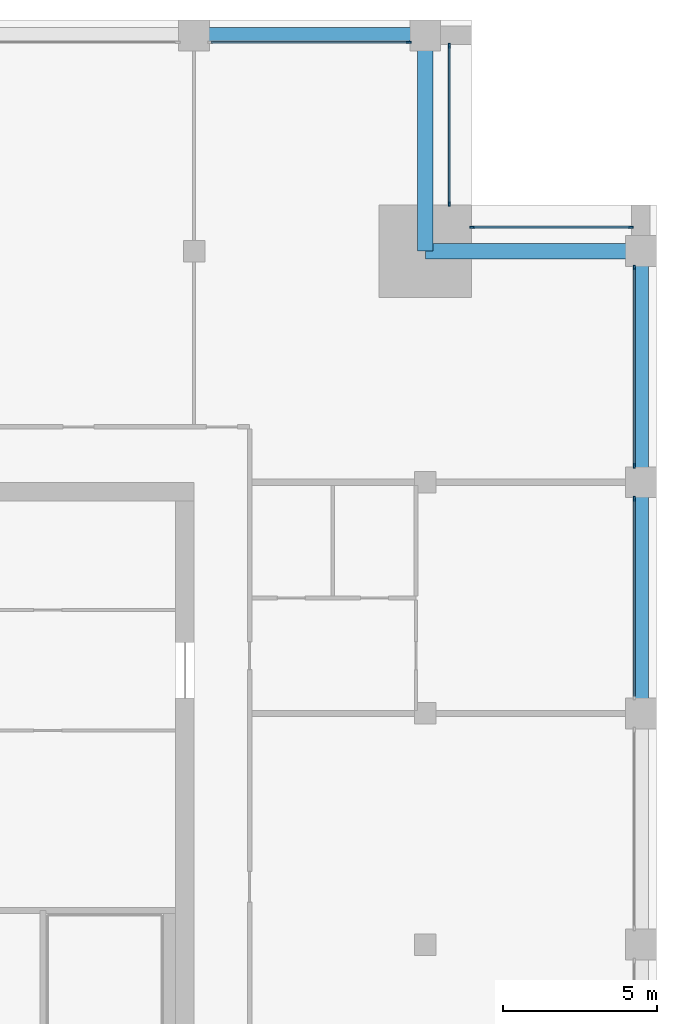
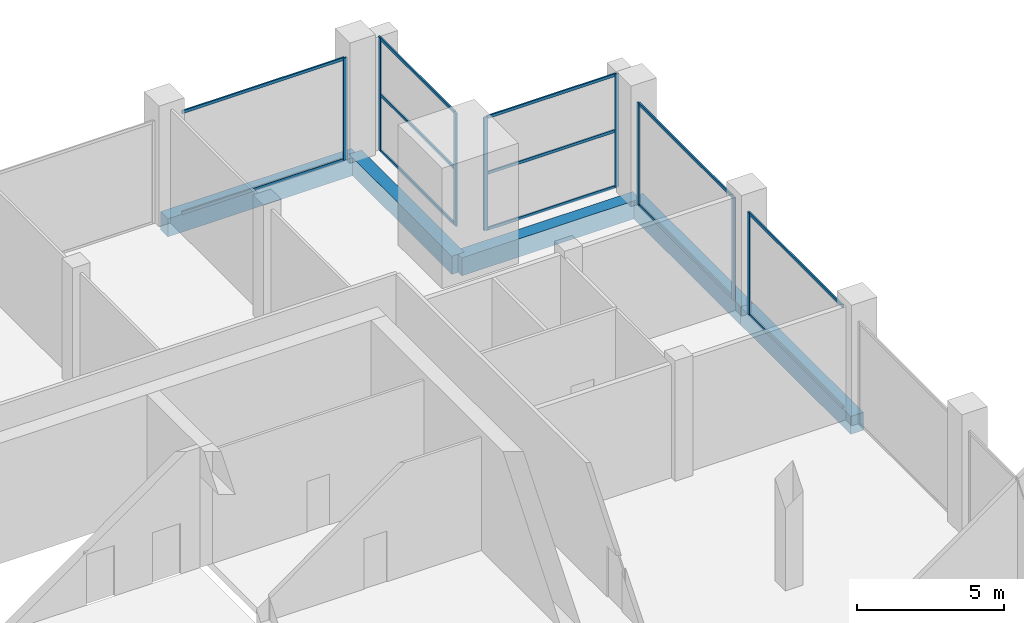
# One storey, part 6 of 15: 20 members, 5 beams, 5 elements without a shape of their own.
"""IFC4 building model written with IfcOpenShell, lengths in metres."""

from ifc_helpers import new_model, si_unit, direction, frame, origin, origin_2d, place, context, subcontext, project, spatial, rectangle, extrude, material, layer, layer_set, material_profile, profile_set, type_object, element, aggregate, save


model = new_model("IFC4")

# Units and contexts
model_context = context("Model", 3, precision=1e-05, world=origin(), true_north=direction((0.0, 1.0)))
body_context = subcontext(model_context, "Body", "Model", "MODEL_VIEW")
ifc_project = project(units=[si_unit("LENGTHUNIT", "METRE"), si_unit("AREAUNIT", "SQUARE_METRE"), si_unit("VOLUMEUNIT", "CUBIC_METRE"), si_unit("PLANEANGLEUNIT", "RADIAN"), si_unit("MASSUNIT", "GRAM", prefix="KILO")], contexts=[model_context])

# Site, building, storey
site_placement = place(None, origin())
site = spatial("IfcSite", under=ifc_project, at=site_placement, CompositionType="ELEMENT")
building_placement = place(site_placement, origin())
building = spatial("IfcBuilding", under=site, at=building_placement, Name="Tamorin Gate", CompositionType="ELEMENT")
storey_placement = place(building_placement, frame((0.0, 0.0, 297.699951171875)))
storey = spatial("IfcBuildingStorey", under=building, at=storey_placement, Name="L74", CompositionType="ELEMENT", Elevation=297.699951171875)

# Curtain wall, member
ifc_material_1 = material(Name="Aluminium mullions and transoms with clear glass", Category="aluminium")
ifc_layer = layer(ifc_material_1, 0.159912109375)
ifc_layer_set = layer_set([ifc_layer], Name="Curtain wall system CW2")
curtain_wall_type = type_object("IfcCurtainWallType", Name="Curtain wall system CW2", PredefinedType="NOTDEFINED", material=ifc_layer_set)
curtain_wall_1_placement = place(storey_placement, origin())
curtain_wall_1 = element("IfcCurtainWall", 1, at=curtain_wall_1_placement, inside=storey, type_object=curtain_wall_type, Name="Curtain wall", PredefinedType="NOTDEFINED")
ifc_material_2 = material(Name="Aluminium", Category="aluminium")
ifc_material_profile_1 = material_profile(ifc_material_2, rectangle(XDim=0.06005859375, YDim=0.159912109375, at=origin_2d()), Name="RECT 60x160")
ifc_profile_set_1 = profile_set([ifc_material_profile_1], Name="Aluminium")
member_type_1 = type_object("IfcMemberType", Name="Aluminium mullion 60x160", PredefinedType="MULLION", material=ifc_profile_set_1)
member_1_placement = place(storey_placement, frame((74.280029296875, 81.969970703125, 0.0), z_axis=(0.0, 0.0, 1.0), x_axis=(-1.0, 0.0, 0.0)))
member_1 = element("IfcMember", 2, at=member_1_placement, type_object=member_type_1, Name="CW2 mullion 2", PredefinedType="MULLION", context=body_context, shape_type="SweptSolid", body=[
    extrude(rectangle(XDim=0.06005859375, YDim=0.159912109375, at=origin_2d()), origin(), (0.0, 0.0, 1.0), 4.25),
])

# Curtain wall, members
curtain_wall_2_placement = place(storey_placement, origin())
curtain_wall_2 = element("IfcCurtainWall", 3, at=curtain_wall_2_placement, inside=storey, type_object=curtain_wall_type, Name="Curtain wall", PredefinedType="NOTDEFINED")
member_2_placement = place(storey_placement, frame((74.280029296875, 83.030029296875, 0.0), z_axis=(0.0, 0.0, 1.0), x_axis=(-1.0, 0.0, 0.0)))
member_2 = element("IfcMember", 4, at=member_2_placement, type_object=member_type_1, Name="CW2 mullion 1", PredefinedType="MULLION", context=body_context, shape_type="SweptSolid", body=[
    extrude(rectangle(XDim=0.06005859375, YDim=0.159912109375, at=origin_2d()), origin(), (0.0, 0.0, 1.0), 4.25),
])
member_3_placement = place(storey_placement, frame((74.280029296875, 89.469970703125, 0.0), z_axis=(0.0, 0.0, 1.0), x_axis=(-1.0, 0.0, 0.0)))
member_3 = element("IfcMember", 5, at=member_3_placement, type_object=member_type_1, Name="CW2 mullion 2", PredefinedType="MULLION", context=body_context, shape_type="SweptSolid", body=[
    extrude(rectangle(XDim=0.06005859375, YDim=0.159912109375, at=origin_2d()), origin(), (0.0, 0.0, 1.0), 4.25),
])

curtain_wall_3_placement = place(storey_placement, origin())
curtain_wall_3 = element("IfcCurtainWall", 6, at=curtain_wall_3_placement, inside=storey, type_object=curtain_wall_type, Name="Curtain wall", PredefinedType="NOTDEFINED")
member_4_placement = place(storey_placement, frame((74.169921875, 90.780029296875, 0.0), z_axis=(0.0, 0.0, 1.0), x_axis=(0.0, -1.0, 0.0)))
member_4 = element("IfcMember", 7, at=member_4_placement, type_object=member_type_1, Name="CW2 mullion 1", PredefinedType="MULLION", context=body_context, shape_type="SweptSolid", body=[
    extrude(rectangle(XDim=0.06005859375, YDim=0.159912109375, at=origin_2d()), origin(), (0.0, 0.0, 1.0), 4.699951171875),
])
member_5_placement = place(storey_placement, frame((69.030029296875, 90.780029296875, 0.0), z_axis=(0.0, 0.0, 1.0), x_axis=(0.0, -1.0, 0.0)))
member_5 = element("IfcMember", 8, at=member_5_placement, type_object=member_type_1, Name="CW2 mullion 2", PredefinedType="MULLION", context=body_context, shape_type="SweptSolid", body=[
    extrude(rectangle(XDim=0.06005859375, YDim=0.159912109375, at=origin_2d()), origin(), (0.0, 0.0, 1.0), 4.699951171875),
])

curtain_wall_4_placement = place(storey_placement, origin())
curtain_wall_4 = element("IfcCurtainWall", 9, at=curtain_wall_4_placement, inside=storey, type_object=curtain_wall_type, Name="Curtain wall", PredefinedType="NOTDEFINED")
member_6_placement = place(storey_placement, frame((68.280029296875, 91.530029296875, 0.0), z_axis=(0.0, 0.0, 1.0), x_axis=(-1.0, 0.0, 0.0)))
member_6 = element("IfcMember", 10, at=member_6_placement, type_object=member_type_1, Name="CW2 mullion 1", PredefinedType="MULLION", context=body_context, shape_type="SweptSolid", body=[
    extrude(rectangle(XDim=0.06005859375, YDim=0.159912109375, at=origin_2d()), origin(), (0.0, 0.0, 1.0), 4.699951171875),
])
member_7_placement = place(storey_placement, frame((68.280029296875, 96.669921875, 0.0), z_axis=(0.0, 0.0, 1.0), x_axis=(-1.0, 0.0, 0.0)))
member_7 = element("IfcMember", 11, at=member_7_placement, type_object=member_type_1, Name="CW2 mullion 2", PredefinedType="MULLION", context=body_context, shape_type="SweptSolid", body=[
    extrude(rectangle(XDim=0.06005859375, YDim=0.159912109375, at=origin_2d()), origin(), (0.0, 0.0, 1.0), 4.699951171875),
])

# Curtain wall, member
curtain_wall_5_placement = place(storey_placement, origin())
curtain_wall_5 = element("IfcCurtainWall", 12, at=curtain_wall_5_placement, inside=storey, type_object=curtain_wall_type, Name="Curtain wall", PredefinedType="NOTDEFINED")
member_8_placement = place(storey_placement, frame((66.969970703125, 96.780029296875, 0.0), z_axis=(0.0, 0.0, 1.0), x_axis=(0.0, -1.0, 0.0)))
member_8 = element("IfcMember", 13, at=member_8_placement, type_object=member_type_1, Name="CW2 mullion 1", PredefinedType="MULLION", context=body_context, shape_type="SweptSolid", body=[
    extrude(rectangle(XDim=0.06005859375, YDim=0.159912109375, at=origin_2d()), origin(), (0.0, 0.0, 1.0), 4.25),
])

# Member
ifc_material_profile_2 = material_profile(ifc_material_2, rectangle(XDim=0.06005859375, YDim=0.1201171875, at=origin_2d()), Name="RECT 60x120")
ifc_profile_set_2 = profile_set([ifc_material_profile_2], Name="Aluminium")
member_type_2 = type_object("IfcMemberType", Name="Aluminium transom 60x120", PredefinedType="USERDEFINED", material=ifc_profile_set_2)
member_9_placement = place(storey_placement, frame((74.280029296875, 75.56005859375, 0.030029296875), z_axis=(0.0, 1.0, 0.0), x_axis=(-1.0, 0.0, 0.0)))
member_9 = element("IfcMember", 14, at=member_9_placement, type_object=member_type_2, Name="CW2 transom 1.1", ObjectType="TRANSOM", PredefinedType="USERDEFINED", context=body_context, shape_type="SweptSolid", body=[
    extrude(rectangle(XDim=0.06005859375, YDim=0.1201171875, at=origin_2d()), origin(), (0.0, 0.0, 1.0), 6.3798828125),
])

member_10_placement = place(storey_placement, frame((74.280029296875, 75.56005859375, 4.219970703125), z_axis=(0.0, 1.0, 0.0), x_axis=(-1.0, 0.0, 0.0)))
member_10 = element("IfcMember", 15, at=member_10_placement, type_object=member_type_2, Name="CW2 transom 1.2", ObjectType="TRANSOM", PredefinedType="USERDEFINED", context=body_context, shape_type="SweptSolid", body=[
    extrude(rectangle(XDim=0.06005859375, YDim=0.1201171875, at=origin_2d()), origin(), (0.0, 0.0, 1.0), 6.3798828125),
])

aggregate(curtain_wall_1, [member_1, member_9, member_10])

member_11_placement = place(storey_placement, frame((74.280029296875, 83.06005859375, 0.030029296875), z_axis=(0.0, 1.0, 0.0), x_axis=(-1.0, 0.0, 0.0)))
member_11 = element("IfcMember", 16, at=member_11_placement, type_object=member_type_2, Name="CW2 transom 1.1", ObjectType="TRANSOM", PredefinedType="USERDEFINED", context=body_context, shape_type="SweptSolid", body=[
    extrude(rectangle(XDim=0.06005859375, YDim=0.1201171875, at=origin_2d()), origin(), (0.0, 0.0, 1.0), 6.3798828125),
])

member_12_placement = place(storey_placement, frame((74.280029296875, 83.06005859375, 4.219970703125), z_axis=(0.0, 1.0, 0.0), x_axis=(-1.0, 0.0, 0.0)))
member_12 = element("IfcMember", 17, at=member_12_placement, type_object=member_type_2, Name="CW2 transom 1.2", ObjectType="TRANSOM", PredefinedType="USERDEFINED", context=body_context, shape_type="SweptSolid", body=[
    extrude(rectangle(XDim=0.06005859375, YDim=0.1201171875, at=origin_2d()), origin(), (0.0, 0.0, 1.0), 6.3798828125),
])

aggregate(curtain_wall_2, [member_2, member_3, member_11, member_12])

member_13_placement = place(storey_placement, frame((74.139892578125, 90.780029296875, 0.030029296875), z_axis=(-1.0, 0.0, 0.0), x_axis=(0.0, -1.0, 0.0)))
member_13 = element("IfcMember", 18, at=member_13_placement, type_object=member_type_2, Name="CW2 transom 1.1", ObjectType="TRANSOM", PredefinedType="USERDEFINED", context=body_context, shape_type="SweptSolid", body=[
    extrude(rectangle(XDim=0.06005859375, YDim=0.1201171875, at=origin_2d()), origin(), (0.0, 0.0, 1.0), 5.079833984375),
])

member_14_placement = place(storey_placement, frame((74.139892578125, 90.780029296875, 2.35009765625), z_axis=(-1.0, 0.0, 0.0), x_axis=(0.0, -1.0, 0.0)))
member_14 = element("IfcMember", 19, at=member_14_placement, type_object=member_type_2, Name="CW2 transom 1.2", ObjectType="TRANSOM", PredefinedType="USERDEFINED", context=body_context, shape_type="SweptSolid", body=[
    extrude(rectangle(XDim=0.06005859375, YDim=0.1201171875, at=origin_2d()), origin(), (0.0, 0.0, 1.0), 5.079833984375),
])

member_15_placement = place(storey_placement, frame((74.139892578125, 90.780029296875, 4.670166015625), z_axis=(-1.0, 0.0, 0.0), x_axis=(0.0, -1.0, 0.0)))
member_15 = element("IfcMember", 20, at=member_15_placement, type_object=member_type_2, Name="CW2 transom 1.3", ObjectType="TRANSOM", PredefinedType="USERDEFINED", context=body_context, shape_type="SweptSolid", body=[
    extrude(rectangle(XDim=0.06005859375, YDim=0.1201171875, at=origin_2d()), origin(), (0.0, 0.0, 1.0), 5.079833984375),
])

aggregate(curtain_wall_3, [member_4, member_5, member_13, member_14, member_15])

member_16_placement = place(storey_placement, frame((68.280029296875, 91.56005859375, 0.030029296875), z_axis=(0.0, 1.0, 0.0), x_axis=(-1.0, 0.0, 0.0)))
member_16 = element("IfcMember", 21, at=member_16_placement, type_object=member_type_2, Name="CW2 transom 1.1", ObjectType="TRANSOM", PredefinedType="USERDEFINED", context=body_context, shape_type="SweptSolid", body=[
    extrude(rectangle(XDim=0.06005859375, YDim=0.1201171875, at=origin_2d()), origin(), (0.0, 0.0, 1.0), 5.079833984375),
])

member_17_placement = place(storey_placement, frame((68.280029296875, 91.56005859375, 2.35009765625), z_axis=(0.0, 1.0, 0.0), x_axis=(-1.0, 0.0, 0.0)))
member_17 = element("IfcMember", 22, at=member_17_placement, type_object=member_type_2, Name="CW2 transom 1.2", ObjectType="TRANSOM", PredefinedType="USERDEFINED", context=body_context, shape_type="SweptSolid", body=[
    extrude(rectangle(XDim=0.06005859375, YDim=0.1201171875, at=origin_2d()), origin(), (0.0, 0.0, 1.0), 5.079833984375),
])

member_18_placement = place(storey_placement, frame((68.280029296875, 91.56005859375, 4.670166015625), z_axis=(0.0, 1.0, 0.0), x_axis=(-1.0, 0.0, 0.0)))
member_18 = element("IfcMember", 23, at=member_18_placement, type_object=member_type_2, Name="CW2 transom 1.3", ObjectType="TRANSOM", PredefinedType="USERDEFINED", context=body_context, shape_type="SweptSolid", body=[
    extrude(rectangle(XDim=0.06005859375, YDim=0.1201171875, at=origin_2d()), origin(), (0.0, 0.0, 1.0), 5.079833984375),
])

aggregate(curtain_wall_4, [member_6, member_7, member_16, member_17, member_18])

member_19_placement = place(storey_placement, frame((66.93994140625, 96.780029296875, 0.030029296875), z_axis=(-1.0, 0.0, 0.0), x_axis=(0.0, -1.0, 0.0)))
member_19 = element("IfcMember", 24, at=member_19_placement, type_object=member_type_2, Name="CW2 transom 1.1", ObjectType="TRANSOM", PredefinedType="USERDEFINED", context=body_context, shape_type="SweptSolid", body=[
    extrude(rectangle(XDim=0.06005859375, YDim=0.1201171875, at=origin_2d()), origin(), (0.0, 0.0, 1.0), 6.3798828125),
])

member_20_placement = place(storey_placement, frame((66.93994140625, 96.780029296875, 4.219970703125), z_axis=(-1.0, 0.0, 0.0), x_axis=(0.0, -1.0, 0.0)))
member_20 = element("IfcMember", 25, at=member_20_placement, type_object=member_type_2, Name="CW2 transom 1.2", ObjectType="TRANSOM", PredefinedType="USERDEFINED", context=body_context, shape_type="SweptSolid", body=[
    extrude(rectangle(XDim=0.06005859375, YDim=0.1201171875, at=origin_2d()), origin(), (0.0, 0.0, 1.0), 6.3798828125),
])

aggregate(curtain_wall_5, [member_8, member_19, member_20])

# Beams
ifc_material_3 = material(Name="Concrete C50/60", Category="concrete")
ifc_material_profile_3 = material_profile(ifc_material_3, rectangle(XDim=0.5, YDim=0.75, at=origin_2d()), Name="RC 500x750")
ifc_profile_set_3 = profile_set([ifc_material_profile_3], Name="Concrete C50/60")
beam_type = type_object("IfcBeamType", Name="RC spandrel 500x750 C50/60", PredefinedType="BEAM", material=ifc_profile_set_3)
for number, where, z_axis, x_axis, name in (
    (26, (74.5, 75.0, -0.375), (0.0, 1.0, 0.0), (-1.0, 0.0, 0.0), "Spandrel beam L74"),
    (27, (74.5, 82.5, -0.375), (0.0, 1.0, 0.0), (-1.0, 0.0, 0.0), "Spandrel beam L74"),
    (28, (67.5, 97.0, -0.375), (-1.0, 0.0, 0.0), (0.0, -1.0, 0.0), "Spandrel beam L74"),
):
    element("IfcBeam", number, at=place(storey_placement, frame(where, z_axis=z_axis, x_axis=x_axis)), inside=storey, type_object=beam_type, Name=name, PredefinedType="BEAM", context=body_context, shape_type="SweptSolid", body=[
        extrude(rectangle(XDim=0.5, YDim=0.75, at=origin_2d()), origin(), (0.0, 0.0, 1.0), 7.5),
    ])
for number, where, z_axis, x_axis, name in (
    (29, (67.5, 90.0, -0.375), (0.0, 1.0, 0.0), (-1.0, 0.0, 0.0), "Corner tie beam L74"),
    (30, (67.5, 90.0, -0.375), (1.0, 0.0, 0.0), (0.0, 1.0, 0.0), "Corner tie beam L74"),
):
    element("IfcBeam", number, at=place(storey_placement, frame(where, z_axis=z_axis, x_axis=x_axis)), inside=storey, type_object=beam_type, Name=name, PredefinedType="BEAM", context=body_context, shape_type="SweptSolid", body=[
        extrude(rectangle(XDim=0.5, YDim=0.75, at=origin_2d()), origin(), (0.0, 0.0, 1.0), 7.0),
    ])

save(model, "model.ifc")
